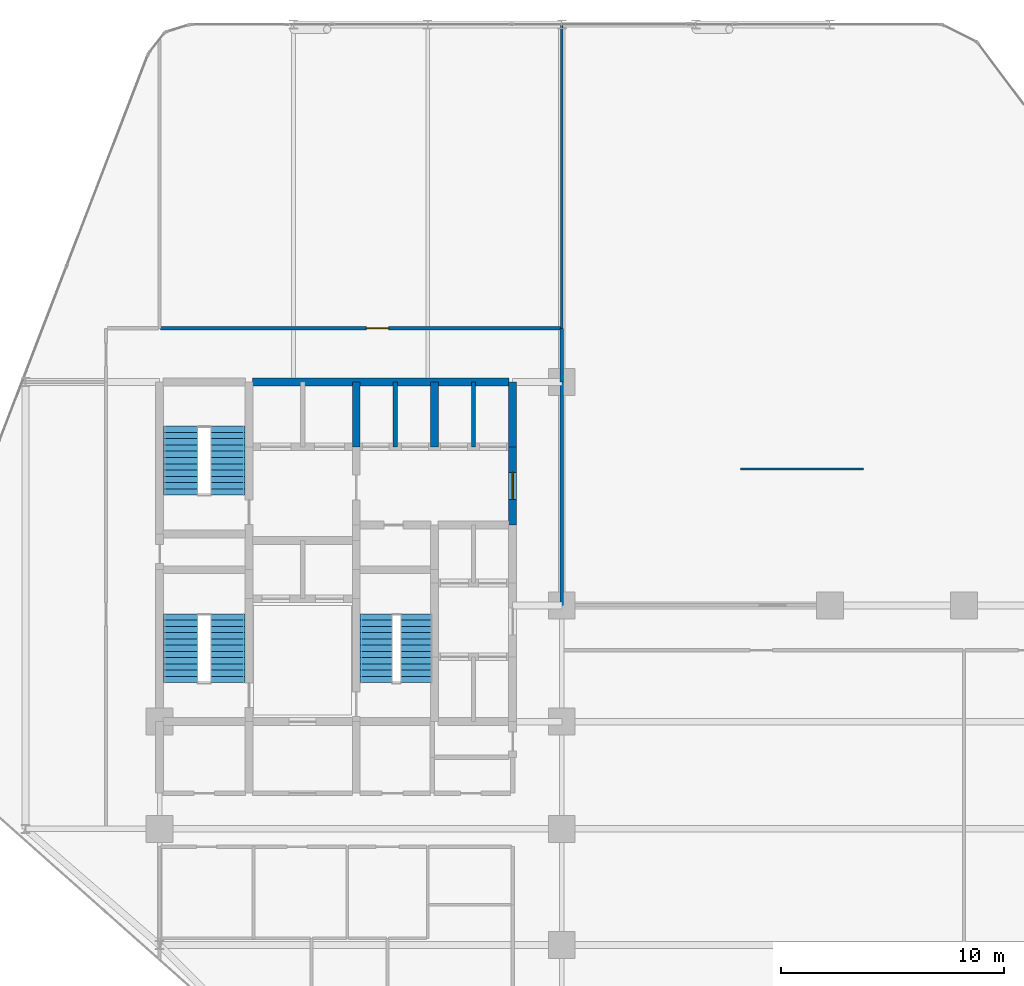
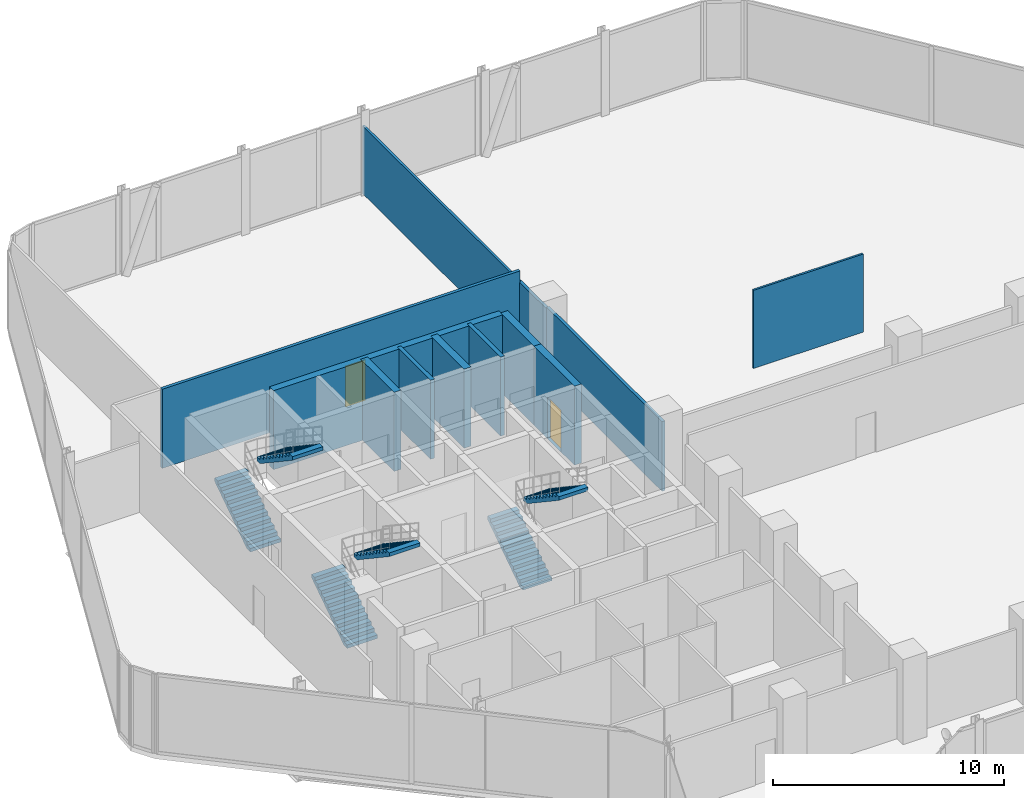
# One storey, part 29 of 30: 12 walls, 6 stair flights, 2 doors, 2 openings, 3 elements without a shape of their own.
"""IFC4 building model written with IfcOpenShell, lengths in metres."""

from ifc_helpers import new_model, si_unit, direction, frame, frame_2d, origin, place, context, subcontext, project, spatial, polyline, rectangle, outline, extrude, material, layer, layer_set, type_object, element, fill, aggregate, save


model = new_model("IFC4")

# Units and contexts
model_context = context("Model", 3, precision=1e-05, world=origin(), true_north=direction((0.0, 1.0)))
body_context = subcontext(model_context, "Body", "Model", "MODEL_VIEW")
ifc_project = project(units=[si_unit("LENGTHUNIT", "METRE"), si_unit("AREAUNIT", "SQUARE_METRE"), si_unit("VOLUMEUNIT", "CUBIC_METRE"), si_unit("PLANEANGLEUNIT", "RADIAN"), si_unit("MASSUNIT", "GRAM", prefix="KILO")], contexts=[model_context])

# Site, building, storey
site_placement = place(None, origin())
site = spatial("IfcSite", under=ifc_project, at=site_placement, CompositionType="ELEMENT")
building_placement = place(site_placement, origin())
building = spatial("IfcBuilding", under=site, at=building_placement, Name="Keshet Zoharim Tower", CompositionType="ELEMENT")
storey_placement = place(building_placement, frame((0.0, 0.0, 65.60009765625)))
storey = spatial("IfcBuildingStorey", under=building, at=storey_placement, Name="L15", CompositionType="ELEMENT", Elevation=65.60009765625)

# Wall
ifc_material_1 = material(Name="Gypsum Plasterboard", Category="gypsum")
ifc_layer_1 = layer(ifc_material_1, 0.14990234375)
ifc_layer_set_1 = layer_set([ifc_layer_1], Name="Gypsum Plasterboard")
wall_type_1 = type_object("IfcWallType", Name="WL-CLIN-150", PredefinedType="STANDARD", material=ifc_layer_set_1)
wall_1_placement = place(storey_placement, frame((33.0, 27.89990234375, 0.0), z_axis=(0.0, 0.0, 1.0), x_axis=(0.0, 1.0, 0.0)))
element("IfcWall", 1, at=wall_1_placement, inside=storey, type_object=wall_type_1, Name="L15 Interior Wall 051", PredefinedType="STANDARD", context=body_context, shape_type="SweptSolid", body=[
    extrude(rectangle(XDim=10.0, YDim=0.14990234375, at=frame_2d((5.0, 0.0))), origin(), (0.0, 0.0, 1.0), 3.684814453125),
])

# Wall, opening, door
wall_2_placement = place(storey_placement, frame((15.044921875, 40.300048828125, 0.0), z_axis=(0.0, 0.0, 1.0), x_axis=(1.0, 0.0, 0.0)))
wall_2 = element("IfcWall", 2, at=wall_2_placement, inside=storey, type_object=wall_type_1, Name="L15 Interior Wall 095", PredefinedType="STANDARD", context=body_context, shape_type="SweptSolid", body=[
    extrude(rectangle(XDim=17.89501953125, YDim=0.14990234375, at=frame_2d((8.947509765625, 0.0))), origin(), (0.0, 0.0, 1.0), 4.184814453125),
])
opening_1_placement = place(wall_2_placement, frame((9.205078125, 0.0, 0.0)))
opening_1 = element("IfcOpeningElement", 3, at=opening_1_placement, cuts=wall_2, Name="Opening D-F310", PredefinedType="OPENING", context=body_context, shape_type="SweptSolid", body=[
    extrude(rectangle(XDim=1.0, YDim=2.14990234375, at=frame_2d((0.5, 1.074951171875))), frame((0.0, 0.0849609375, 0.0), z_axis=(0.0, -1.0, 0.0), x_axis=(1.0, 0.0, 0.0)), (0.0, 0.0, 1.0), 0.169921875),
])
ifc_material_2 = material(Name="Hardwood Timber", Category="wood")
door_type_1 = type_object("IfcDoorType", Name="DR-FD30-100", OperationType="NOTDEFINED", PredefinedType="DOOR", material=ifc_material_2)
door_1_placement = place(opening_1_placement, origin())
door_1 = element("IfcDoor", 4, at=door_1_placement, inside=storey, type_object=door_type_1, Name="L15 Library and Study Room Door", OperationType="SINGLE_SWING_RIGHT", OverallHeight=2.14990234375, OverallWidth=1.0, PredefinedType="DOOR", context=body_context, shape_type="SweptSolid", body=[
    extrude(rectangle(XDim=1.0, YDim=2.14990234375, at=frame_2d((0.5, 1.074951171875))), frame((0.0, 0.02490234375, 0.0), z_axis=(0.0, -1.0, 0.0), x_axis=(1.0, 0.0, 0.0)), (0.0, 0.0, 1.0), 0.050048828125),
])
fill(opening_1, door_1)

# Walls
wall_3_placement = place(storey_placement, frame((33.0, 37.89990234375, 0.0), z_axis=(0.0, 0.0, 1.0), x_axis=(0.0, 1.0, 0.0)))
element("IfcWall", 5, at=wall_3_placement, inside=storey, type_object=wall_type_1, Name="L15 Interior Wall 051 Part 2", PredefinedType="STANDARD", context=body_context, shape_type="SweptSolid", body=[
    extrude(rectangle(XDim=2.400146484375, YDim=0.14990234375, at=frame_2d((1.2001953125, 0.0))), origin(), (0.0, 0.0, 1.0), 3.5849609375),
])
ifc_material_3 = material(Name="Concrete C60/75", Category="concrete")
ifc_layer_2 = layer(ifc_material_3, 0.35009765625)
ifc_layer_set_2 = layer_set([ifc_layer_2], Name="Concrete C60/75")
wall_type_2 = type_object("IfcWallType", Name="WL-CORE-350", PredefinedType="SHEAR", material=ifc_layer_set_2)
for number, where, z_axis, x_axis, name in (
    (6, (23.800048828125, 35.0, 0.0), (0.0, 0.0, 1.0), (0.0, 1.0, 0.0), "L15 Core Shear Wall 026"),
    (7, (27.300048828125, 35.0, 0.0), (0.0, 0.0, 1.0), (0.0, 1.0, 0.0), "L15 Core Shear Wall 037"),
):
    element("IfcWall", number, at=place(storey_placement, frame(where, z_axis=z_axis, x_axis=x_axis)), inside=storey, type_object=wall_type_2, Name=name, PredefinedType="SHEAR", context=body_context, shape_type="SweptSolid", body=[
        extrude(rectangle(XDim=2.89990234375, YDim=0.35009765625, at=frame_2d((1.449951171875, 0.0))), origin(), (0.0, 0.0, 1.0), 4.184814453125),
    ])

# Wall, opening, door
wall_4_placement = place(storey_placement, frame((30.800048828125, 31.5, 0.0), z_axis=(0.0, 0.0, 1.0), x_axis=(0.0, 1.0, 0.0)))
wall_4 = element("IfcWall", 8, at=wall_4_placement, inside=storey, type_object=wall_type_2, Name="L15 Core Shear Wall 048", PredefinedType="SHEAR", context=body_context, shape_type="SweptSolid", body=[
    extrude(rectangle(XDim=3.5, YDim=0.35009765625, at=frame_2d((1.75, 0.0))), origin(), (0.0, 0.0, 1.0), 4.184814453125),
])
opening_2_placement = place(wall_4_placement, frame((1.14990234375, 0.0, 0.0)))
opening_2 = element("IfcOpeningElement", 9, at=opening_2_placement, cuts=wall_4, Name="Opening D-F612", PredefinedType="OPENING", context=body_context, shape_type="SweptSolid", body=[
    extrude(rectangle(XDim=1.199951171875, YDim=2.199951171875, at=frame_2d((0.60009765625, 1.10009765625))), frame((0.0, 0.18505859375, 0.0), z_axis=(0.0, -1.0, 0.0), x_axis=(1.0, 0.0, 0.0)), (0.0, 0.0, 1.0), 0.3701171875),
])
door_type_2 = type_object("IfcDoorType", Name="DR-FD60-120", OperationType="NOTDEFINED", PredefinedType="DOOR", material=ifc_material_2)
door_2_placement = place(opening_2_placement, origin())
door_2 = element("IfcDoor", 10, at=door_2_placement, inside=storey, type_object=door_type_2, Name="L15 North Lift Lobby East Fire Door", OperationType="SINGLE_SWING_LEFT", OverallHeight=2.199951171875, OverallWidth=1.199951171875, PredefinedType="DOOR", context=body_context, shape_type="SweptSolid", body=[
    extrude(rectangle(XDim=1.199951171875, YDim=2.199951171875, at=frame_2d((0.60009765625, 1.10009765625))), frame((0.0, 0.02490234375, 0.0), z_axis=(0.0, -1.0, 0.0), x_axis=(1.0, 0.0, 0.0)), (0.0, 0.0, 1.0), 0.050048828125),
])
fill(opening_2, door_2)

# Walls
wall_5_placement = place(storey_placement, frame((30.800048828125, 35.0, 0.0), z_axis=(0.0, 0.0, 1.0), x_axis=(0.0, 1.0, 0.0)))
element("IfcWall", 11, at=wall_5_placement, inside=storey, type_object=wall_type_2, Name="L15 Core Shear Wall 049", PredefinedType="SHEAR", context=body_context, shape_type="SweptSolid", body=[
    extrude(rectangle(XDim=2.89990234375, YDim=0.35009765625, at=frame_2d((1.449951171875, 0.0))), origin(), (0.0, 0.0, 1.0), 4.184814453125),
])
wall_6_placement = place(storey_placement, frame((19.159912109375, 37.89990234375, 0.0), z_axis=(0.0, 0.0, 1.0), x_axis=(1.0, 0.0, 0.0)))
element("IfcWall", 12, at=wall_6_placement, inside=storey, type_object=wall_type_2, Name="L15 Core Shear Wall 093", PredefinedType="SHEAR", context=body_context, shape_type="SweptSolid", body=[
    extrude(rectangle(XDim=11.47998046875, YDim=0.35009765625, at=frame_2d((5.739990234375, 0.0))), origin(), (0.0, 0.0, 1.0), 4.184814453125),
])
ifc_material_4 = material(Name="Concrete C50/60", Category="concrete")
ifc_layer_3 = layer(ifc_material_4, 0.199951171875)
ifc_layer_set_3 = layer_set([ifc_layer_3], Name="Concrete C50/60")
wall_type_3 = type_object("IfcWallType", Name="WL-FIRE-200", PredefinedType="STANDARD", material=ifc_layer_set_3)
for number, where, z_axis, x_axis, name in (
    (13, (25.550048828125, 35.0, 0.0), (0.0, 0.0, 1.0), (0.0, 1.0, 0.0), "L15 Interior Wall 028"),
    (14, (29.050048828125, 35.0, 0.0), (0.0, 0.0, 1.0), (0.0, 1.0, 0.0), "L15 Interior Wall 040"),
):
    element("IfcWall", number, at=place(storey_placement, frame(where, z_axis=z_axis, x_axis=x_axis)), inside=storey, type_object=wall_type_3, Name=name, PredefinedType="STANDARD", context=body_context, shape_type="SweptSolid", body=[
        extrude(rectangle(XDim=2.89990234375, YDim=0.199951171875, at=frame_2d((1.449951171875, 0.0))), origin(), (0.0, 0.0, 1.0), 4.184814453125),
    ])
ifc_layer_4 = layer(ifc_material_1, 0.10009765625)
ifc_layer_set_4 = layer_set([ifc_layer_4], Name="Gypsum Plasterboard")
wall_type_4 = type_object("IfcWallType", Name="WL-MOV-100", PredefinedType="MOVABLE", material=ifc_layer_set_4)
wall_7_placement = place(storey_placement, frame((41.0, 34.0, 0.0), z_axis=(0.0, 0.0, 1.0), x_axis=(1.0, 0.0, 0.0)))
element("IfcWall", 15, at=wall_7_placement, inside=storey, type_object=wall_type_4, Name="L15 Community Hall Movable Acoustic Partition", PredefinedType="MOVABLE", context=body_context, shape_type="SweptSolid", body=[
    extrude(rectangle(XDim=5.5, YDim=0.10009765625, at=frame_2d((2.75, 0.0))), origin(), (0.0, 0.0, 1.0), 4.135009765625),
])
ifc_layer_5 = layer(ifc_material_1, 0.1201171875)
ifc_layer_set_5 = layer_set([ifc_layer_5], Name="Gypsum Plasterboard")
wall_type_5 = type_object("IfcWallType", Name="WL-PART-120", PredefinedType="PARTITIONING", material=ifc_layer_set_5)
wall_8_placement = place(storey_placement, frame((33.0, 40.300048828125, 0.0), z_axis=(0.0, 0.0, 1.0), x_axis=(0.0, 1.0, 0.0)))
element("IfcWall", 16, at=wall_8_placement, inside=storey, type_object=wall_type_5, Name="L15 Interior Wall 052", PredefinedType="PARTITIONING", context=body_context, shape_type="SweptSolid", body=[
    extrude(rectangle(XDim=13.58984375, YDim=0.1201171875, at=frame_2d((6.794921875, 0.0))), origin(), (0.0, 0.0, 1.0), 3.5849609375),
])

# Stair, stair flights
stair_type = type_object("IfcStairType", Name="STR-EXIT-135", PredefinedType="HALF_TURN_STAIR", material=ifc_material_4)
stair_1_placement = place(storey_placement, origin())
stair_1 = element("IfcStair", 17, at=stair_1_placement, inside=storey, type_object=stair_type, Name="L15 Enclosed Exit Stair ST-01", PredefinedType="HALF_TURN_STAIR")
stair_flight_type_1 = type_object("IfcStairFlightType", Name="FLT-PRE-135", PredefinedType="STRAIGHT", material=ifc_material_4)
stair_flight_1_placement = place(storey_placement, frame((15.945068359375, 24.43994140625, 0.0), z_axis=(0.0, 0.0, 1.0), x_axis=(0.0, 1.0, 0.0)))
stair_flight_1 = element("IfcStairFlight", 18, at=stair_flight_1_placement, type_object=stair_flight_type_1, Name="ST-01 flight 1", NumberOfRisers=12, NumberOfTreads=11, PredefinedType="STRAIGHT", RiserHeight=0.1875, TreadLength=0.28, context=body_context, shape_type="SweptSolid", body=[
    extrude(outline(polyline([(0.0, 0.0), (0.0, 0.1875), (0.280029296875, 0.1875), (0.280029296875, 0.375), (0.56005859375, 0.375), (0.56005859375, 0.5625), (0.840087890625, 0.5625), (0.840087890625, 0.75), (1.1201171875, 0.75), (1.1201171875, 0.9375), (1.39990234375, 0.9375), (1.39990234375, 1.125), (1.679931640625, 1.125), (1.679931640625, 1.3125), (1.9599609375, 1.3125), (1.9599609375, 1.5), (2.239990234375, 1.5), (2.239990234375, 1.6875), (2.52001953125, 1.6875), (2.52001953125, 1.875), (2.800048828125, 1.875), (2.800048828125, 2.0625), (3.080078125, 2.0625), (3.080078125, 2.25), (3.080078125, 1.8701171875), (0.287353515625, 0.0), (0.0, 0.0)])), frame((0.0, 0.76513671875, 0.0), z_axis=(0.0, -1.0, 0.0), x_axis=(1.0, 0.0, 0.0)), (0.0, 0.0, 1.0), 1.530029296875),
])
stair_flight_2_placement = place(storey_placement, frame((18.054931640625, 27.52001953125, 2.25), z_axis=(0.0, 0.0, 1.0), x_axis=(0.0, -1.0, 0.0)))
stair_flight_2 = element("IfcStairFlight", 19, at=stair_flight_2_placement, type_object=stair_flight_type_1, Name="ST-01 flight 2", NumberOfRisers=12, NumberOfTreads=11, PredefinedType="STRAIGHT", RiserHeight=0.1875, TreadLength=0.28, context=body_context, shape_type="SweptSolid", body=[
    extrude(outline(polyline([(0.0, 0.0), (0.0, 0.1875), (0.280029296875, 0.1875), (0.280029296875, 0.375), (0.56005859375, 0.375), (0.56005859375, 0.5625), (0.840087890625, 0.5625), (0.840087890625, 0.75), (1.1201171875, 0.75), (1.1201171875, 0.9375), (1.39990234375, 0.9375), (1.39990234375, 1.125), (1.679931640625, 1.125), (1.679931640625, 1.3125), (1.9599609375, 1.3125), (1.9599609375, 1.5), (2.239990234375, 1.5), (2.239990234375, 1.6875), (2.52001953125, 1.6875), (2.52001953125, 1.875), (2.800048828125, 1.875), (2.800048828125, 2.0625), (3.080078125, 2.0625), (3.080078125, 2.25), (3.080078125, 1.8701171875), (0.287353515625, 0.0), (0.0, 0.0)])), frame((0.0, 0.76513671875, 0.0), z_axis=(0.0, -1.0, 0.0), x_axis=(1.0, 0.0, 0.0)), (0.0, 0.0, 1.0), 1.530029296875),
])
aggregate(stair_1, [stair_flight_1, stair_flight_2])

stair_2_placement = place(storey_placement, origin())
stair_2 = element("IfcStair", 20, at=stair_2_placement, inside=storey, type_object=stair_type, Name="L15 Enclosed Exit Stair ST-02", PredefinedType="HALF_TURN_STAIR")
stair_flight_3_placement = place(storey_placement, frame((15.945068359375, 32.840087890625, 0.0), z_axis=(0.0, 0.0, 1.0), x_axis=(0.0, 1.0, 0.0)))
stair_flight_3 = element("IfcStairFlight", 21, at=stair_flight_3_placement, type_object=stair_flight_type_1, Name="ST-02 flight 1", NumberOfRisers=12, NumberOfTreads=11, PredefinedType="STRAIGHT", RiserHeight=0.1875, TreadLength=0.28, context=body_context, shape_type="SweptSolid", body=[
    extrude(outline(polyline([(0.0, 0.0), (0.0, 0.1875), (0.280029296875, 0.1875), (0.280029296875, 0.375), (0.56005859375, 0.375), (0.56005859375, 0.5625), (0.840087890625, 0.5625), (0.840087890625, 0.75), (1.1201171875, 0.75), (1.1201171875, 0.9375), (1.39990234375, 0.9375), (1.39990234375, 1.125), (1.679931640625, 1.125), (1.679931640625, 1.3125), (1.9599609375, 1.3125), (1.9599609375, 1.5), (2.239990234375, 1.5), (2.239990234375, 1.6875), (2.52001953125, 1.6875), (2.52001953125, 1.875), (2.800048828125, 1.875), (2.800048828125, 2.0625), (3.080078125, 2.0625), (3.080078125, 2.25), (3.080078125, 1.8701171875), (0.287353515625, 0.0), (0.0, 0.0)])), frame((0.0, 0.76513671875, 0.0), z_axis=(0.0, -1.0, 0.0), x_axis=(1.0, 0.0, 0.0)), (0.0, 0.0, 1.0), 1.530029296875),
])
stair_flight_4_placement = place(storey_placement, frame((18.054931640625, 35.919921875, 2.25), z_axis=(0.0, 0.0, 1.0), x_axis=(0.0, -1.0, 0.0)))
stair_flight_4 = element("IfcStairFlight", 22, at=stair_flight_4_placement, type_object=stair_flight_type_1, Name="ST-02 flight 2", NumberOfRisers=12, NumberOfTreads=11, PredefinedType="STRAIGHT", RiserHeight=0.1875, TreadLength=0.28, context=body_context, shape_type="SweptSolid", body=[
    extrude(outline(polyline([(0.0, 0.0), (0.0, 0.1875), (0.280029296875, 0.1875), (0.280029296875, 0.375), (0.56005859375, 0.375), (0.56005859375, 0.5625), (0.840087890625, 0.5625), (0.840087890625, 0.75), (1.1201171875, 0.75), (1.1201171875, 0.9375), (1.39990234375, 0.9375), (1.39990234375, 1.125), (1.679931640625, 1.125), (1.679931640625, 1.3125), (1.9599609375, 1.3125), (1.9599609375, 1.5), (2.239990234375, 1.5), (2.239990234375, 1.6875), (2.52001953125, 1.6875), (2.52001953125, 1.875), (2.800048828125, 1.875), (2.800048828125, 2.0625), (3.080078125, 2.0625), (3.080078125, 2.25), (3.080078125, 1.8701171875), (0.287353515625, 0.0), (0.0, 0.0)])), frame((0.0, 0.76513671875, 0.0), z_axis=(0.0, -1.0, 0.0), x_axis=(1.0, 0.0, 0.0)), (0.0, 0.0, 1.0), 1.530029296875),
])
aggregate(stair_2, [stair_flight_3, stair_flight_4])

stair_3_placement = place(storey_placement, origin())
stair_3 = element("IfcStair", 23, at=stair_3_placement, inside=storey, type_object=stair_type, Name="L15 Enclosed Exit Stair ST-03", PredefinedType="HALF_TURN_STAIR")
stair_flight_type_2 = type_object("IfcStairFlightType", Name="FLT-PRE-144", PredefinedType="STRAIGHT", material=ifc_material_4)
stair_flight_5_placement = place(storey_placement, frame((24.699951171875, 24.43994140625, 0.0), z_axis=(0.0, 0.0, 1.0), x_axis=(0.0, 1.0, 0.0)))
stair_flight_5 = element("IfcStairFlight", 24, at=stair_flight_5_placement, type_object=stair_flight_type_2, Name="ST-03 flight 1", NumberOfRisers=12, NumberOfTreads=11, PredefinedType="STRAIGHT", RiserHeight=0.1875, TreadLength=0.28, context=body_context, shape_type="SweptSolid", body=[
    extrude(outline(polyline([(0.0, 0.0), (0.0, 0.1875), (0.280029296875, 0.1875), (0.280029296875, 0.375), (0.56005859375, 0.375), (0.56005859375, 0.5625), (0.840087890625, 0.5625), (0.840087890625, 0.75), (1.1201171875, 0.75), (1.1201171875, 0.9375), (1.39990234375, 0.9375), (1.39990234375, 1.125), (1.679931640625, 1.125), (1.679931640625, 1.3125), (1.9599609375, 1.3125), (1.9599609375, 1.5), (2.239990234375, 1.5), (2.239990234375, 1.6875), (2.52001953125, 1.6875), (2.52001953125, 1.875), (2.800048828125, 1.875), (2.800048828125, 2.0625), (3.080078125, 2.0625), (3.080078125, 2.25), (3.080078125, 1.8701171875), (0.287353515625, 0.0), (0.0, 0.0)])), frame((0.0, 0.719970703125, 0.0), z_axis=(0.0, -1.0, 0.0), x_axis=(1.0, 0.0, 0.0)), (0.0, 0.0, 1.0), 1.43994140625),
])
stair_flight_6_placement = place(storey_placement, frame((26.5, 27.52001953125, 2.25), z_axis=(0.0, 0.0, 1.0), x_axis=(0.0, -1.0, 0.0)))
stair_flight_6 = element("IfcStairFlight", 25, at=stair_flight_6_placement, type_object=stair_flight_type_2, Name="ST-03 flight 2", NumberOfRisers=12, NumberOfTreads=11, PredefinedType="STRAIGHT", RiserHeight=0.1875, TreadLength=0.28, context=body_context, shape_type="SweptSolid", body=[
    extrude(outline(polyline([(0.0, 0.0), (0.0, 0.1875), (0.280029296875, 0.1875), (0.280029296875, 0.375), (0.56005859375, 0.375), (0.56005859375, 0.5625), (0.840087890625, 0.5625), (0.840087890625, 0.75), (1.1201171875, 0.75), (1.1201171875, 0.9375), (1.39990234375, 0.9375), (1.39990234375, 1.125), (1.679931640625, 1.125), (1.679931640625, 1.3125), (1.9599609375, 1.3125), (1.9599609375, 1.5), (2.239990234375, 1.5), (2.239990234375, 1.6875), (2.52001953125, 1.6875), (2.52001953125, 1.875), (2.800048828125, 1.875), (2.800048828125, 2.0625), (3.080078125, 2.0625), (3.080078125, 2.25), (3.080078125, 1.8701171875), (0.287353515625, 0.0), (0.0, 0.0)])), frame((0.0, 0.719970703125, 0.0), z_axis=(0.0, -1.0, 0.0), x_axis=(1.0, 0.0, 0.0)), (0.0, 0.0, 1.0), 1.43994140625),
])
aggregate(stair_3, [stair_flight_5, stair_flight_6])

save(model, "model.ifc")
